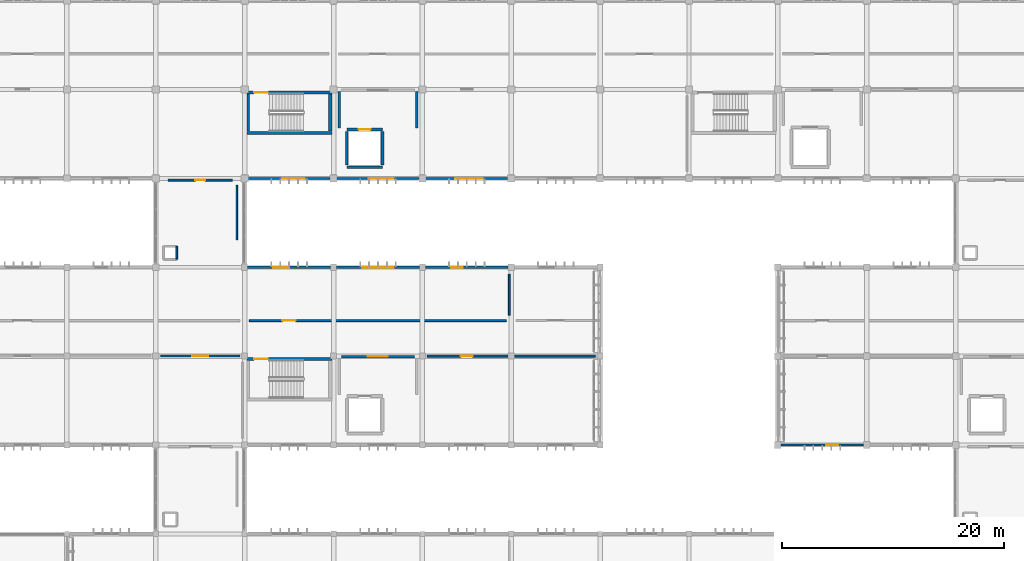
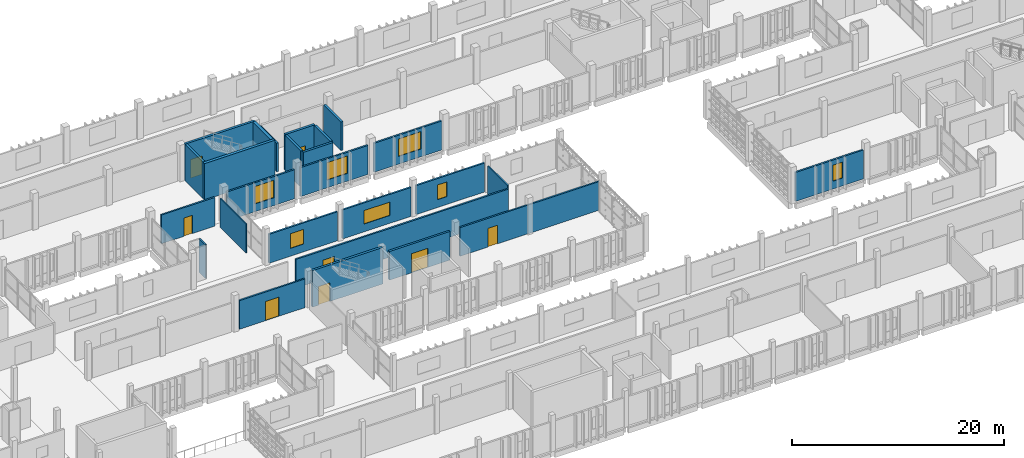
# One storey, part 48 of 63: 26 walls, 8 doors, 7 windows, 15 openings.
"""IFC4 building model written with IfcOpenShell, lengths in metres."""

from ifc_helpers import new_model, si_unit, direction, frame, frame_2d, origin, place, context, subcontext, project, spatial, rectangle, extrude, material, layer, layer_set, type_object, element, fill, save


model = new_model("IFC4")

# Units and contexts
model_context = context("Model", 3, precision=1e-05, world=origin(), true_north=direction((0.0, 1.0)))
body_context = subcontext(model_context, "Body", "Model", "MODEL_VIEW")
ifc_project = project(units=[si_unit("LENGTHUNIT", "METRE"), si_unit("AREAUNIT", "SQUARE_METRE"), si_unit("VOLUMEUNIT", "CUBIC_METRE"), si_unit("PLANEANGLEUNIT", "RADIAN"), si_unit("MASSUNIT", "GRAM", prefix="KILO")], contexts=[model_context])

# Site, building, storey
site_placement = place(None, origin())
site = spatial("IfcSite", under=ifc_project, at=site_placement, CompositionType="ELEMENT")
building_placement = place(site_placement, origin())
building = spatial("IfcBuilding", under=site, at=building_placement, Name="Jelvoka-Kovrelna Polytechnic", CompositionType="ELEMENT")
storey_placement = place(building_placement, frame((0.0, 0.0, 18.0)))
storey = spatial("IfcBuildingStorey", under=building, at=storey_placement, Name="L05", CompositionType="ELEMENT", Elevation=18.0)

# Walls
ifc_material_1 = material(Name="Concrete C35/45", Category="concrete")
ifc_layer_1 = layer(ifc_material_1, 0.219970703125)
ifc_layer_set_1 = layer_set([ifc_layer_1], Name="Concrete C35/45")
wall_type_1 = type_object("IfcWallType", Name="Wall_Compartment_220", PredefinedType="PARTITIONING", material=ifc_layer_set_1)
for number, where, z_axis, x_axis, name in (
    (1, (88.5, 60.550048828125, 0.0), (0.0, 0.0, 1.0), (0.0, 1.0, 0.0), "L05 interior wall 0297"),
    (2, (95.5, 60.550048828125, 0.0), (0.0, 0.0, 1.0), (0.0, 1.0, 0.0), "L05 interior wall 0298"),
):
    element("IfcWall", number, at=place(storey_placement, frame(where, z_axis=z_axis, x_axis=x_axis)), inside=storey, type_object=wall_type_1, Name=name, PredefinedType="PARTITIONING", context=body_context, shape_type="SweptSolid", body=[
        extrude(rectangle(XDim=3.25, YDim=0.219970703125, at=frame_2d((1.625, 0.0))), origin(), (0.0, 0.0, 1.0), 3.300048828125),
    ])

# Wall, opening, door
wall_1_placement = place(storey_placement, frame((88.699951171875, 39.949951171875, 0.0), z_axis=(0.0, 0.0, 1.0), x_axis=(1.0, 0.0, 0.0)))
wall_1 = element("IfcWall", 3, at=wall_1_placement, inside=storey, type_object=wall_type_1, Name="L05 interior wall 0438", PredefinedType="PARTITIONING", context=body_context, shape_type="SweptSolid", body=[
    extrude(rectangle(XDim=6.60009765625, YDim=0.219970703125, at=frame_2d((3.300048828125, 0.0))), origin(), (0.0, 0.0, 1.0), 3.300048828125),
])
opening_1_placement = place(wall_1_placement, frame((2.39990234375, 0.0, 0.0)))
opening_1 = element("IfcOpeningElement", 4, at=opening_1_placement, cuts=wall_1, Name="Opening FD-L05-087", PredefinedType="OPENING", context=body_context, shape_type="SweptSolid", body=[
    extrude(rectangle(XDim=1.800048828125, YDim=2.199951171875, at=frame_2d((0.89990234375, 1.10009765625))), frame((0.0, 0.119873046875, 0.0), z_axis=(0.0, -1.0, 0.0), x_axis=(1.0, 0.0, 0.0)), (0.0, 0.0, 1.0), 0.239990234375),
])
ifc_material_2 = material(Name="Paired steel corridor fire door", Category="steel")
door_type_1 = type_object("IfcDoorType", Name="Door_Fire_FD03", OperationType="NOTDEFINED", PredefinedType="DOOR", material=ifc_material_2)
door_1_placement = place(opening_1_placement, origin())
door_1 = element("IfcDoor", 5, at=door_1_placement, inside=storey, type_object=door_type_1, Name="L05 interior door FD-L05-087", OperationType="DOUBLE_DOOR_SINGLE_SWING", OverallHeight=2.199951171875, OverallWidth=1.800048828125, PredefinedType="DOOR", context=body_context, shape_type="SweptSolid", body=[
    extrude(rectangle(XDim=1.800048828125, YDim=2.199951171875, at=frame_2d((0.89990234375, 1.10009765625))), frame((0.0, 0.02490234375, 0.0), z_axis=(0.0, -1.0, 0.0), x_axis=(1.0, 0.0, 0.0)), (0.0, 0.0, 1.0), 0.050048828125),
])
fill(opening_1, door_1)

ifc_material_3 = material(Name="Concrete C40/50", Category="concrete")
ifc_layer_2 = layer(ifc_material_3, 0.25)
ifc_layer_set_2 = layer_set([ifc_layer_2], Name="Concrete C40/50")
wall_type_2 = type_object("IfcWallType", Name="Wall_Core_250", PredefinedType="SOLIDWALL", material=ifc_layer_set_2)
wall_2_placement = place(storey_placement, frame((80.199951171875, 39.739990234375, 0.0), z_axis=(0.0, 0.0, 1.0), x_axis=(1.0, 0.0, 0.0)))
wall_2 = element("IfcWall", 6, at=wall_2_placement, inside=storey, type_object=wall_type_2, Name="L05 interior wall 0107", PredefinedType="SOLIDWALL", context=body_context, shape_type="SweptSolid", body=[
    extrude(rectangle(XDim=7.650146484375, YDim=0.25, at=frame_2d((3.8251953125, 0.0))), origin(), (0.0, 0.0, 1.0), 4.199951171875),
])
opening_2_placement = place(wall_2_placement, frame((0.64990234375, 0.0, 0.0)))
opening_2 = element("IfcOpeningElement", 7, at=opening_2_placement, cuts=wall_2, Name="Opening SD-L05-027", PredefinedType="OPENING", context=body_context, shape_type="SweptSolid", body=[
    extrude(rectangle(XDim=1.25, YDim=2.14990234375, at=frame_2d((0.625, 1.074951171875))), frame((0.0, 0.135009765625, 0.0), z_axis=(0.0, -1.0, 0.0), x_axis=(1.0, 0.0, 0.0)), (0.0, 0.0, 1.0), 0.27001953125),
])
ifc_material_4 = material(Name="Powder-coated steel fire door", Category="steel")
door_type_2 = type_object("IfcDoorType", Name="Door_Fire_FD02", OperationType="NOTDEFINED", PredefinedType="DOOR", material=ifc_material_4)
door_2_placement = place(opening_2_placement, origin())
door_2 = element("IfcDoor", 8, at=door_2_placement, inside=storey, type_object=door_type_2, Name="L05 interior door SD-L05-027", OperationType="SINGLE_SWING_LEFT", OverallHeight=2.14990234375, OverallWidth=1.25, PredefinedType="DOOR", context=body_context, shape_type="SweptSolid", body=[
    extrude(rectangle(XDim=1.25, YDim=2.14990234375, at=frame_2d((0.625, 1.074951171875))), frame((0.0, 0.02490234375, 0.0), z_axis=(0.0, -1.0, 0.0), x_axis=(1.0, 0.0, 0.0)), (0.0, 0.0, 1.0), 0.050048828125),
])
fill(opening_2, door_2)

wall_3_placement = place(storey_placement, frame((80.199951171875, 63.739990234375, 0.0), z_axis=(0.0, 0.0, 1.0), x_axis=(1.0, 0.0, 0.0)))
wall_3 = element("IfcWall", 9, at=wall_3_placement, inside=storey, type_object=wall_type_2, Name="L05 interior wall 0167", PredefinedType="SOLIDWALL", context=body_context, shape_type="SweptSolid", body=[
    extrude(rectangle(XDim=7.650146484375, YDim=0.25, at=frame_2d((3.8251953125, 0.0))), origin(), (0.0, 0.0, 1.0), 4.199951171875),
])
opening_3_placement = place(wall_3_placement, frame((0.64990234375, 0.0, 0.0)))
opening_3 = element("IfcOpeningElement", 10, at=opening_3_placement, cuts=wall_3, Name="Opening SD-L05-042", PredefinedType="OPENING", context=body_context, shape_type="SweptSolid", body=[
    extrude(rectangle(XDim=1.25, YDim=2.14990234375, at=frame_2d((0.625, 1.074951171875))), frame((0.0, 0.135009765625, 0.0), z_axis=(0.0, -1.0, 0.0), x_axis=(1.0, 0.0, 0.0)), (0.0, 0.0, 1.0), 0.27001953125),
])
door_3_placement = place(opening_3_placement, origin())
door_3 = element("IfcDoor", 11, at=door_3_placement, inside=storey, type_object=door_type_2, Name="L05 interior door SD-L05-042", OperationType="SINGLE_SWING_LEFT", OverallHeight=2.14990234375, OverallWidth=1.25, PredefinedType="DOOR", context=body_context, shape_type="SweptSolid", body=[
    extrude(rectangle(XDim=1.25, YDim=2.14990234375, at=frame_2d((0.625, 1.074951171875))), frame((0.0, 0.02490234375, 0.0), z_axis=(0.0, -1.0, 0.0), x_axis=(1.0, 0.0, 0.0)), (0.0, 0.0, 1.0), 0.050048828125),
])
fill(opening_3, door_3)

# Walls
wall_4_placement = place(storey_placement, frame((80.324951171875, 60.25, 0.0), z_axis=(0.0, 0.0, 1.0), x_axis=(0.0, 1.0, 0.0)))
element("IfcWall", 12, at=wall_4_placement, inside=storey, type_object=wall_type_2, Name="L05 interior wall 0168", PredefinedType="SOLIDWALL", context=body_context, shape_type="SweptSolid", body=[
    extrude(rectangle(XDim=3.360107421875, YDim=0.25, at=frame_2d((1.68017578125, 0.0))), origin(), (0.0, 0.0, 1.0), 4.199951171875),
])
wall_5_placement = place(storey_placement, frame((89.199951171875, 57.0, 0.0), z_axis=(0.0, 0.0, 1.0), x_axis=(1.0, 0.0, 0.0)))
element("IfcWall", 13, at=wall_5_placement, inside=storey, type_object=wall_type_2, Name="L05 interior wall 0292", PredefinedType="SOLIDWALL", context=body_context, shape_type="SweptSolid", body=[
    extrude(rectangle(XDim=3.199951171875, YDim=0.25, at=frame_2d((1.60009765625, 0.0))), origin(), (0.0, 0.0, 1.0), 4.199951171875),
])

# Wall, opening, door
wall_6_placement = place(storey_placement, frame((89.199951171875, 60.39990234375, 0.0), z_axis=(0.0, 0.0, 1.0), x_axis=(1.0, 0.0, 0.0)))
wall_6 = element("IfcWall", 14, at=wall_6_placement, inside=storey, type_object=wall_type_2, Name="L05 interior wall 0293", PredefinedType="SOLIDWALL", context=body_context, shape_type="SweptSolid", body=[
    extrude(rectangle(XDim=3.199951171875, YDim=0.25, at=frame_2d((1.60009765625, 0.0))), origin(), (0.0, 0.0, 1.0), 4.199951171875),
])
opening_4_placement = place(wall_6_placement, frame((1.050048828125, 0.0, 0.0)))
opening_4 = element("IfcOpeningElement", 15, at=opening_4_placement, cuts=wall_6, Name="Opening LD-L05-06", PredefinedType="OPENING", context=body_context, shape_type="SweptSolid", body=[
    extrude(rectangle(XDim=1.10009765625, YDim=2.14990234375, at=frame_2d((0.550048828125, 1.074951171875))), frame((0.0, 0.135009765625, 0.0), z_axis=(0.0, -1.0, 0.0), x_axis=(1.0, 0.0, 0.0)), (0.0, 0.0, 1.0), 0.27001953125),
])
ifc_material_5 = material(Name="Brushed stainless steel sliding landing door", Category="steel")
door_type_3 = type_object("IfcDoorType", Name="Door_Lift_LD01", OperationType="NOTDEFINED", PredefinedType="DOOR", material=ifc_material_5)
door_4_placement = place(opening_4_placement, origin())
door_4 = element("IfcDoor", 16, at=door_4_placement, inside=storey, type_object=door_type_3, Name="L05 lift landing sliding door LD-L05-06", OperationType="DOUBLE_DOOR_SLIDING", OverallHeight=2.14990234375, OverallWidth=1.10009765625, PredefinedType="DOOR", context=body_context, shape_type="SweptSolid", body=[
    extrude(rectangle(XDim=1.10009765625, YDim=2.14990234375, at=frame_2d((0.550048828125, 1.074951171875))), frame((0.0, 0.02490234375, 0.0), z_axis=(0.0, -1.0, 0.0), x_axis=(1.0, 0.0, 0.0)), (0.0, 0.0, 1.0), 0.050048828125),
])
fill(opening_4, door_4)

# Walls
for number, where, z_axis, x_axis, name in (
    (17, (89.199951171875, 57.199951171875, 0.0), (0.0, 0.0, 1.0), (0.0, 1.0, 0.0), "L05 interior wall 0294"),
    (18, (92.39990234375, 57.199951171875, 0.0), (0.0, 0.0, 1.0), (0.0, 1.0, 0.0), "L05 interior wall 0295"),
):
    element("IfcWall", number, at=place(storey_placement, frame(where, z_axis=z_axis, x_axis=x_axis)), inside=storey, type_object=wall_type_2, Name=name, PredefinedType="SOLIDWALL", context=body_context, shape_type="SweptSolid", body=[
        extrude(rectangle(XDim=3.0, YDim=0.25, at=frame_2d((1.5, 0.0))), origin(), (0.0, 0.0, 1.0), 4.199951171875),
    ])

# Wall, opening, door
ifc_material_6 = material(Name="Autoclaved aerated concrete blockwork", Category="masonry")
ifc_layer_3 = layer(ifc_material_6, 0.179931640625)
ifc_layer_set_3 = layer_set([ifc_layer_3], Name="Autoclaved aerated concrete blockwork")
wall_type_3 = type_object("IfcWallType", Name="Wall_Corridor_180", PredefinedType="PARTITIONING", material=ifc_layer_set_3)
wall_7_placement = place(storey_placement, frame((72.429931640625, 40.0, 0.0), z_axis=(0.0, 0.0, 1.0), x_axis=(1.0, 0.0, 0.0)))
wall_7 = element("IfcWall", 19, at=wall_7_placement, inside=storey, type_object=wall_type_3, Name="L05 interior wall 1189", PredefinedType="PARTITIONING", context=body_context, shape_type="SweptSolid", body=[
    extrude(rectangle(XDim=7.14013671875, YDim=0.179931640625, at=frame_2d((3.570068359375, 0.0))), origin(), (0.0, 0.0, 1.0), 3.300048828125),
])
opening_5_placement = place(wall_7_placement, frame((2.830078125, 0.0, 0.0)))
opening_5 = element("IfcOpeningElement", 20, at=opening_5_placement, cuts=wall_7, Name="Opening D-L05-382", PredefinedType="OPENING", context=body_context, shape_type="SweptSolid", body=[
    extrude(rectangle(XDim=1.47998046875, YDim=2.199951171875, at=frame_2d((0.739990234375, 1.10009765625))), frame((0.0, 0.099853515625, 0.0), z_axis=(0.0, -1.0, 0.0), x_axis=(1.0, 0.0, 0.0)), (0.0, 0.0, 1.0), 0.199951171875),
])
ifc_material_7 = material(Name="Paired studio double door", Category="wood")
door_type_4 = type_object("IfcDoorType", Name="Door_Int_D17", OperationType="NOTDEFINED", PredefinedType="DOOR", material=ifc_material_7)
door_5_placement = place(opening_5_placement, origin())
door_5 = element("IfcDoor", 21, at=door_5_placement, inside=storey, type_object=door_type_4, Name="L05 interior door D-L05-382", OperationType="DOUBLE_DOOR_SINGLE_SWING", OverallHeight=2.199951171875, OverallWidth=1.47998046875, PredefinedType="DOOR", context=body_context, shape_type="SweptSolid", body=[
    extrude(rectangle(XDim=1.47998046875, YDim=2.199951171875, at=frame_2d((0.739990234375, 1.10009765625))), frame((0.0, 0.02490234375, 0.0), z_axis=(0.0, -1.0, 0.0), x_axis=(1.0, 0.0, 0.0)), (0.0, 0.0, 1.0), 0.050048828125),
])
fill(opening_5, door_5)

wall_8_placement = place(storey_placement, frame((96.429931640625, 40.0, 0.0), z_axis=(0.0, 0.0, 1.0), x_axis=(1.0, 0.0, 0.0)))
wall_8 = element("IfcWall", 22, at=wall_8_placement, inside=storey, type_object=wall_type_3, Name="L05 interior wall 1191", PredefinedType="PARTITIONING", context=body_context, shape_type="SweptSolid", body=[
    extrude(rectangle(XDim=15.14013671875, YDim=0.179931640625, at=frame_2d((7.570068359375, 0.0))), origin(), (0.0, 0.0, 1.0), 3.300048828125),
])
opening_6_placement = place(wall_8_placement, frame((3.044921875, 0.0, 0.0)))
opening_6 = element("IfcOpeningElement", 23, at=opening_6_placement, cuts=wall_8, Name="Opening D-L05-383", PredefinedType="OPENING", context=body_context, shape_type="SweptSolid", body=[
    extrude(rectangle(XDim=1.050048828125, YDim=2.14990234375, at=frame_2d((0.52490234375, 1.074951171875))), frame((0.0, 0.099853515625, 0.0), z_axis=(0.0, -1.0, 0.0), x_axis=(1.0, 0.0, 0.0)), (0.0, 0.0, 1.0), 0.199951171875),
])
ifc_material_8 = material(Name="Hardwood fire-resisting laboratory door", Category="wood")
door_type_5 = type_object("IfcDoorType", Name="Door_Fire_FD30_02", OperationType="NOTDEFINED", PredefinedType="DOOR", material=ifc_material_8)
door_6_placement = place(opening_6_placement, origin())
door_6 = element("IfcDoor", 24, at=door_6_placement, inside=storey, type_object=door_type_5, Name="L05 interior door D-L05-383", OperationType="SINGLE_SWING_LEFT", OverallHeight=2.14990234375, OverallWidth=1.050048828125, PredefinedType="DOOR", context=body_context, shape_type="SweptSolid", body=[
    extrude(rectangle(XDim=1.050048828125, YDim=2.14990234375, at=frame_2d((0.52490234375, 1.074951171875))), frame((0.0, 0.02490234375, 0.0), z_axis=(0.0, -1.0, 0.0), x_axis=(1.0, 0.0, 0.0)), (0.0, 0.0, 1.0), 0.050048828125),
])
fill(opening_6, door_6)

wall_9_placement = place(storey_placement, frame((80.429931640625, 43.199951171875, 0.0), z_axis=(0.0, 0.0, 1.0), x_axis=(1.0, 0.0, 0.0)))
wall_9 = element("IfcWall", 25, at=wall_9_placement, inside=storey, type_object=wall_type_3, Name="L05 interior wall 1193", PredefinedType="PARTITIONING", context=body_context, shape_type="SweptSolid", body=[
    extrude(rectangle(XDim=23.14013671875, YDim=0.179931640625, at=frame_2d((11.570068359375, 0.0))), origin(), (0.0, 0.0, 1.0), 3.300048828125),
])
opening_7_placement = place(wall_9_placement, frame((2.9599609375, 0.0, 0.0)))
opening_7 = element("IfcOpeningElement", 26, at=opening_7_placement, cuts=wall_9, Name="Opening D-L05-385", PredefinedType="OPENING", context=body_context, shape_type="SweptSolid", body=[
    extrude(rectangle(XDim=1.219970703125, YDim=2.179931640625, at=frame_2d((0.60986328125, 1.08984375))), frame((0.0, 0.099853515625, 0.0), z_axis=(0.0, -1.0, 0.0), x_axis=(1.0, 0.0, 0.0)), (0.0, 0.0, 1.0), 0.199951171875),
])
ifc_material_9 = material(Name="Hardwood fire-resisting laboratory door", Category="wood")
door_type_6 = type_object("IfcDoorType", Name="Door_Fire_FD30_04", OperationType="NOTDEFINED", PredefinedType="DOOR", material=ifc_material_9)
door_7_placement = place(opening_7_placement, origin())
door_7 = element("IfcDoor", 27, at=door_7_placement, inside=storey, type_object=door_type_6, Name="L05 interior door D-L05-385", OperationType="SINGLE_SWING_RIGHT", OverallHeight=2.179931640625, OverallWidth=1.219970703125, PredefinedType="DOOR", context=body_context, shape_type="SweptSolid", body=[
    extrude(rectangle(XDim=1.219970703125, YDim=2.179931640625, at=frame_2d((0.60986328125, 1.08984375))), frame((0.0, 0.02490234375, 0.0), z_axis=(0.0, -1.0, 0.0), x_axis=(1.0, 0.0, 0.0)), (0.0, 0.0, 1.0), 0.050048828125),
])
fill(opening_7, door_7)

wall_10_placement = place(storey_placement, frame((73.10009765625, 55.85009765625, 0.0), z_axis=(0.0, 0.0, 1.0), x_axis=(1.0, 0.0, 0.0)))
wall_10 = element("IfcWall", 28, at=wall_10_placement, inside=storey, type_object=wall_type_3, Name="L05 interior wall 1219", PredefinedType="PARTITIONING", context=body_context, shape_type="SweptSolid", body=[
    extrude(rectangle(XDim=5.7998046875, YDim=0.179931640625, at=frame_2d((2.89990234375, 0.0))), origin(), (0.0, 0.0, 1.0), 3.300048828125),
])
opening_8_placement = place(wall_10_placement, frame((2.449951171875, 0.0, 0.0)))
opening_8 = element("IfcOpeningElement", 29, at=opening_8_placement, cuts=wall_10, Name="Opening D-L05-406", PredefinedType="OPENING", context=body_context, shape_type="SweptSolid", body=[
    extrude(rectangle(XDim=0.89990234375, YDim=2.10009765625, at=frame_2d((0.449951171875, 1.050048828125))), frame((0.0, 0.099853515625, 0.0), z_axis=(0.0, -1.0, 0.0), x_axis=(1.0, 0.0, 0.0)), (0.0, 0.0, 1.0), 0.199951171875),
])
ifc_material_10 = material(Name="Hardwood solid-core door", Category="wood")
door_type_7 = type_object("IfcDoorType", Name="Door_Int_D01", OperationType="NOTDEFINED", PredefinedType="DOOR", material=ifc_material_10)
door_8_placement = place(opening_8_placement, origin())
door_8 = element("IfcDoor", 30, at=door_8_placement, inside=storey, type_object=door_type_7, Name="L05 interior door D-L05-406", OperationType="SINGLE_SWING_LEFT", OverallHeight=2.10009765625, OverallWidth=0.89990234375, PredefinedType="DOOR", context=body_context, shape_type="SweptSolid", body=[
    extrude(rectangle(XDim=0.89990234375, YDim=2.10009765625, at=frame_2d((0.449951171875, 1.050048828125))), frame((0.0, 0.02490234375, 0.0), z_axis=(0.0, -1.0, 0.0), x_axis=(1.0, 0.0, 0.0)), (0.0, 0.0, 1.0), 0.050048828125),
])
fill(opening_8, door_8)

# Wall, opening, window
ifc_material_11 = material(Name="Precast concrete C40/50", Category="concrete")
ifc_layer_4 = layer(ifc_material_11, 0.18505859375)
ifc_layer_set_4 = layer_set([ifc_layer_4], Name="Precast concrete C40/50")
wall_type_4 = type_object("IfcWallType", Name="Wall_Ext_White_260", PredefinedType="STANDARD", material=ifc_layer_set_4)
wall_11_placement = place(storey_placement, frame((80.27197265625, 48.0, 0.0), z_axis=(0.0, 0.0, 1.0), x_axis=(1.0, 0.0, 0.0)))
wall_11 = element("IfcWall", 31, at=wall_11_placement, inside=storey, type_object=wall_type_4, Name="L05 exterior wall 0417", PredefinedType="STANDARD", context=body_context, shape_type="SweptSolid", body=[
    extrude(rectangle(XDim=7.4560546875, YDim=0.18505859375, at=frame_2d((3.72802734375, 0.0))), origin(), (0.0, 0.0, 1.0), 3.3349609375),
])
opening_9_placement = place(wall_11_placement, frame((2.30810546875, 0.0, 0.89990234375)))
opening_9 = element("IfcOpeningElement", 32, at=opening_9_placement, cuts=wall_11, Name="Opening W-L05-150", PredefinedType="OPENING", context=body_context, shape_type="SweptSolid", body=[
    extrude(rectangle(XDim=1.449951171875, YDim=1.699951171875, at=frame_2d((0.72509765625, 0.85009765625))), frame((0.0, 0.1025390625, 0.0), z_axis=(0.0, -1.0, 0.0), x_axis=(1.0, 0.0, 0.0)), (0.0, 0.0, 1.0), 0.205078125),
])
ifc_material_12 = material(Name="Thermally broken anodised aluminium and low-e glazing", Category="aluminium")
window_type_1 = type_object("IfcWindowType", Name="Win_Casement_W33", PartitioningType="SINGLE_PANEL", PredefinedType="WINDOW", material=ifc_material_12)
window_1_placement = place(opening_9_placement, origin())
window_1 = element("IfcWindow", 33, at=window_1_placement, inside=storey, type_object=window_type_1, Name="L05 aluminium casement window W-L05-150", OverallHeight=1.699951171875, OverallWidth=1.449951171875, PartitioningType="SINGLE_PANEL", PredefinedType="WINDOW", context=body_context, shape_type="SweptSolid", body=[
    extrude(rectangle(XDim=1.449951171875, YDim=1.699951171875, at=frame_2d((0.72509765625, 0.85009765625))), frame((0.0, 0.030029296875, 0.0), z_axis=(0.0, -1.0, 0.0), x_axis=(1.0, 0.0, 0.0)), (0.0, 0.0, 1.0), 0.06005859375),
])
fill(opening_9, window_1)

wall_12_placement = place(storey_placement, frame((88.27197265625, 48.0, 0.0), z_axis=(0.0, 0.0, 1.0), x_axis=(1.0, 0.0, 0.0)))
wall_12 = element("IfcWall", 34, at=wall_12_placement, inside=storey, type_object=wall_type_4, Name="L05 exterior wall 0419", PredefinedType="STANDARD", context=body_context, shape_type="SweptSolid", body=[
    extrude(rectangle(XDim=7.4560546875, YDim=0.18505859375, at=frame_2d((3.72802734375, 0.0))), origin(), (0.0, 0.0, 1.0), 3.3349609375),
])
opening_10_placement = place(wall_12_placement, frame((2.30810546875, 0.0, 0.89990234375)))
opening_10 = element("IfcOpeningElement", 35, at=opening_10_placement, cuts=wall_12, Name="Opening W-L05-152", PredefinedType="OPENING", context=body_context, shape_type="SweptSolid", body=[
    extrude(rectangle(XDim=2.85009765625, YDim=1.550048828125, at=frame_2d((1.425048828125, 0.77490234375))), frame((0.0, 0.1025390625, 0.0), z_axis=(0.0, -1.0, 0.0), x_axis=(1.0, 0.0, 0.0)), (0.0, 0.0, 1.0), 0.205078125),
])
ifc_material_13 = material(Name="Thermally broken anodised aluminium and low-e glazing", Category="aluminium")
window_type_2 = type_object("IfcWindowType", Name="Win_Casement_W30", PartitioningType="DOUBLE_PANEL_VERTICAL", PredefinedType="WINDOW", material=ifc_material_13)
window_2_placement = place(opening_10_placement, origin())
window_2 = element("IfcWindow", 36, at=window_2_placement, inside=storey, type_object=window_type_2, Name="L05 aluminium casement window W-L05-152", OverallHeight=1.550048828125, OverallWidth=2.85009765625, PartitioningType="DOUBLE_PANEL_VERTICAL", PredefinedType="WINDOW", context=body_context, shape_type="SweptSolid", body=[
    extrude(rectangle(XDim=2.85009765625, YDim=1.550048828125, at=frame_2d((1.425048828125, 0.77490234375))), frame((0.0, 0.030029296875, 0.0), z_axis=(0.0, -1.0, 0.0), x_axis=(1.0, 0.0, 0.0)), (0.0, 0.0, 1.0), 0.06005859375),
])
fill(opening_10, window_2)

wall_13_placement = place(storey_placement, frame((96.27197265625, 48.0, 0.0), z_axis=(0.0, 0.0, 1.0), x_axis=(1.0, 0.0, 0.0)))
wall_13 = element("IfcWall", 37, at=wall_13_placement, inside=storey, type_object=wall_type_4, Name="L05 exterior wall 0421", PredefinedType="STANDARD", context=body_context, shape_type="SweptSolid", body=[
    extrude(rectangle(XDim=7.4560546875, YDim=0.18505859375, at=frame_2d((3.72802734375, 0.0))), origin(), (0.0, 0.0, 1.0), 3.3349609375),
])
opening_11_placement = place(wall_13_placement, frame((2.30810546875, 0.0, 0.89990234375)))
opening_11 = element("IfcOpeningElement", 38, at=opening_11_placement, cuts=wall_13, Name="Opening W-L05-154", PredefinedType="OPENING", context=body_context, shape_type="SweptSolid", body=[
    extrude(rectangle(XDim=1.050048828125, YDim=1.699951171875, at=frame_2d((0.52490234375, 0.85009765625))), frame((0.0, 0.1025390625, 0.0), z_axis=(0.0, -1.0, 0.0), x_axis=(1.0, 0.0, 0.0)), (0.0, 0.0, 1.0), 0.205078125),
])
ifc_material_14 = material(Name="Thermally broken anodised aluminium and low-e glazing", Category="aluminium")
window_type_3 = type_object("IfcWindowType", Name="Win_Casement_W31", PartitioningType="SINGLE_PANEL", PredefinedType="WINDOW", material=ifc_material_14)
window_3_placement = place(opening_11_placement, origin())
window_3 = element("IfcWindow", 39, at=window_3_placement, inside=storey, type_object=window_type_3, Name="L05 aluminium casement window W-L05-154", OverallHeight=1.699951171875, OverallWidth=1.050048828125, PartitioningType="SINGLE_PANEL", PredefinedType="WINDOW", context=body_context, shape_type="SweptSolid", body=[
    extrude(rectangle(XDim=1.050048828125, YDim=1.699951171875, at=frame_2d((0.52490234375, 0.85009765625))), frame((0.0, 0.030029296875, 0.0), z_axis=(0.0, -1.0, 0.0), x_axis=(1.0, 0.0, 0.0)), (0.0, 0.0, 1.0), 0.06005859375),
])
fill(opening_11, window_3)

wall_14_placement = place(storey_placement, frame((135.702880859375, 32.0, 0.0), z_axis=(0.0, 0.0, 1.0), x_axis=(-1.0, 0.0, 0.0)))
wall_14 = element("IfcWall", 40, at=wall_14_placement, inside=storey, type_object=wall_type_4, Name="L05 exterior wall 0506", PredefinedType="STANDARD", context=body_context, shape_type="SweptSolid", body=[
    extrude(rectangle(XDim=7.40576171875, YDim=0.18505859375, at=frame_2d((3.702880859375, 0.0))), origin(), (0.0, 0.0, 1.0), 3.3349609375),
])
opening_12_placement = place(wall_14_placement, frame((2.282958984375, 0.0, 0.89990234375)))
opening_12 = element("IfcOpeningElement", 41, at=opening_12_placement, cuts=wall_14, Name="Opening W-L05-205", PredefinedType="OPENING", context=body_context, shape_type="SweptSolid", body=[
    extrude(rectangle(XDim=1.050048828125, YDim=1.85009765625, at=frame_2d((0.52490234375, 0.925048828125))), frame((0.0, 0.1025390625, 0.0), z_axis=(0.0, -1.0, 0.0), x_axis=(1.0, 0.0, 0.0)), (0.0, 0.0, 1.0), 0.205078125),
])
ifc_material_15 = material(Name="Thermally broken anodised aluminium and low-e glazing", Category="aluminium")
window_type_4 = type_object("IfcWindowType", Name="Win_Casement_W41", PartitioningType="SINGLE_PANEL", PredefinedType="WINDOW", material=ifc_material_15)
window_4_placement = place(opening_12_placement, origin())
window_4 = element("IfcWindow", 42, at=window_4_placement, inside=storey, type_object=window_type_4, Name="L05 aluminium casement window W-L05-205", OverallHeight=1.85009765625, OverallWidth=1.050048828125, PartitioningType="SINGLE_PANEL", PredefinedType="WINDOW", context=body_context, shape_type="SweptSolid", body=[
    extrude(rectangle(XDim=1.050048828125, YDim=1.85009765625, at=frame_2d((0.52490234375, 0.925048828125))), frame((0.0, 0.030029296875, 0.0), z_axis=(0.0, -1.0, 0.0), x_axis=(1.0, 0.0, 0.0)), (0.0, 0.0, 1.0), 0.06005859375),
])
fill(opening_12, window_4)

wall_15_placement = place(storey_placement, frame((87.677978515625, 56.0, 0.0), z_axis=(0.0, 0.0, 1.0), x_axis=(-1.0, 0.0, 0.0)))
wall_15 = element("IfcWall", 43, at=wall_15_placement, inside=storey, type_object=wall_type_4, Name="L05 exterior wall 0716", PredefinedType="STANDARD", context=body_context, shape_type="SweptSolid", body=[
    extrude(rectangle(XDim=7.35595703125, YDim=0.18505859375, at=frame_2d((3.677978515625, 0.0))), origin(), (0.0, 0.0, 1.0), 3.3349609375),
])
opening_13_placement = place(wall_15_placement, frame((2.258056640625, 0.0, 0.89990234375)))
opening_13 = element("IfcOpeningElement", 44, at=opening_13_placement, cuts=wall_15, Name="Opening W-L05-378", PredefinedType="OPENING", context=body_context, shape_type="SweptSolid", body=[
    extrude(rectangle(XDim=2.050048828125, YDim=2.0, at=frame_2d((1.02490234375, 1.0))), frame((0.0, 0.1025390625, 0.0), z_axis=(0.0, -1.0, 0.0), x_axis=(1.0, 0.0, 0.0)), (0.0, 0.0, 1.0), 0.205078125),
])
ifc_material_16 = material(Name="Thermally broken anodised aluminium and low-e glazing", Category="aluminium")
window_type_5 = type_object("IfcWindowType", Name="Win_Casement_W56", PartitioningType="DOUBLE_PANEL_VERTICAL", PredefinedType="WINDOW", material=ifc_material_16)
window_5_placement = place(opening_13_placement, origin())
window_5 = element("IfcWindow", 45, at=window_5_placement, inside=storey, type_object=window_type_5, Name="L05 aluminium casement window W-L05-378", OverallHeight=2.0, OverallWidth=2.050048828125, PartitioningType="DOUBLE_PANEL_VERTICAL", PredefinedType="WINDOW", context=body_context, shape_type="SweptSolid", body=[
    extrude(rectangle(XDim=2.050048828125, YDim=2.0, at=frame_2d((1.02490234375, 1.0))), frame((0.0, 0.030029296875, 0.0), z_axis=(0.0, -1.0, 0.0), x_axis=(1.0, 0.0, 0.0)), (0.0, 0.0, 1.0), 0.06005859375),
])
fill(opening_13, window_5)

wall_16_placement = place(storey_placement, frame((95.677978515625, 56.0, 0.0), z_axis=(0.0, 0.0, 1.0), x_axis=(-1.0, 0.0, 0.0)))
wall_16 = element("IfcWall", 46, at=wall_16_placement, inside=storey, type_object=wall_type_4, Name="L05 exterior wall 0718", PredefinedType="STANDARD", context=body_context, shape_type="SweptSolid", body=[
    extrude(rectangle(XDim=7.35595703125, YDim=0.18505859375, at=frame_2d((3.677978515625, 0.0))), origin(), (0.0, 0.0, 1.0), 3.3349609375),
])
opening_14_placement = place(wall_16_placement, frame((2.258056640625, 0.0, 0.89990234375)))
opening_14 = element("IfcOpeningElement", 47, at=opening_14_placement, cuts=wall_16, Name="Opening W-L05-380", PredefinedType="OPENING", context=body_context, shape_type="SweptSolid", body=[
    extrude(rectangle(XDim=2.25, YDim=2.0, at=frame_2d((1.125, 1.0))), frame((0.0, 0.1025390625, 0.0), z_axis=(0.0, -1.0, 0.0), x_axis=(1.0, 0.0, 0.0)), (0.0, 0.0, 1.0), 0.205078125),
])
ifc_material_17 = material(Name="Thermally broken anodised aluminium and low-e glazing", Category="aluminium")
window_type_6 = type_object("IfcWindowType", Name="Win_Casement_W57", PartitioningType="DOUBLE_PANEL_VERTICAL", PredefinedType="WINDOW", material=ifc_material_17)
window_6_placement = place(opening_14_placement, origin())
window_6 = element("IfcWindow", 48, at=window_6_placement, inside=storey, type_object=window_type_6, Name="L05 aluminium casement window W-L05-380", OverallHeight=2.0, OverallWidth=2.25, PartitioningType="DOUBLE_PANEL_VERTICAL", PredefinedType="WINDOW", context=body_context, shape_type="SweptSolid", body=[
    extrude(rectangle(XDim=2.25, YDim=2.0, at=frame_2d((1.125, 1.0))), frame((0.0, 0.030029296875, 0.0), z_axis=(0.0, -1.0, 0.0), x_axis=(1.0, 0.0, 0.0)), (0.0, 0.0, 1.0), 0.06005859375),
])
fill(opening_14, window_6)

wall_17_placement = place(storey_placement, frame((103.677978515625, 56.0, 0.0), z_axis=(0.0, 0.0, 1.0), x_axis=(-1.0, 0.0, 0.0)))
wall_17 = element("IfcWall", 49, at=wall_17_placement, inside=storey, type_object=wall_type_4, Name="L05 exterior wall 0720", PredefinedType="STANDARD", context=body_context, shape_type="SweptSolid", body=[
    extrude(rectangle(XDim=7.35595703125, YDim=0.18505859375, at=frame_2d((3.677978515625, 0.0))), origin(), (0.0, 0.0, 1.0), 3.3349609375),
])
opening_15_placement = place(wall_17_placement, frame((2.258056640625, 0.0, 0.89990234375)))
opening_15 = element("IfcOpeningElement", 50, at=opening_15_placement, cuts=wall_17, Name="Opening W-L05-382", PredefinedType="OPENING", context=body_context, shape_type="SweptSolid", body=[
    extrude(rectangle(XDim=2.449951171875, YDim=2.0, at=frame_2d((1.22509765625, 1.0))), frame((0.0, 0.1025390625, 0.0), z_axis=(0.0, -1.0, 0.0), x_axis=(1.0, 0.0, 0.0)), (0.0, 0.0, 1.0), 0.205078125),
])
ifc_material_18 = material(Name="Thermally broken anodised aluminium and low-e glazing", Category="aluminium")
window_type_7 = type_object("IfcWindowType", Name="Win_Casement_W58", PartitioningType="DOUBLE_PANEL_VERTICAL", PredefinedType="WINDOW", material=ifc_material_18)
window_7_placement = place(opening_15_placement, origin())
window_7 = element("IfcWindow", 51, at=window_7_placement, inside=storey, type_object=window_type_7, Name="L05 aluminium casement window W-L05-382", OverallHeight=2.0, OverallWidth=2.449951171875, PartitioningType="DOUBLE_PANEL_VERTICAL", PredefinedType="WINDOW", context=body_context, shape_type="SweptSolid", body=[
    extrude(rectangle(XDim=2.449951171875, YDim=2.0, at=frame_2d((1.22509765625, 1.0))), frame((0.0, 0.030029296875, 0.0), z_axis=(0.0, -1.0, 0.0), x_axis=(1.0, 0.0, 0.0)), (0.0, 0.0, 1.0), 0.06005859375),
])
fill(opening_15, window_7)

# Walls
ifc_material_19 = material(Name="Acoustic gypsum stud partition")
ifc_layer_5 = layer(ifc_material_19, 0.125)
ifc_layer_set_5 = layer_set([ifc_layer_5], Name="Acoustic gypsum stud partition")
wall_type_5 = type_object("IfcWallType", Name="Wall_Partition_125", PredefinedType="PARTITIONING", material=ifc_layer_set_5)
wall_18_placement = place(storey_placement, frame((79.300048828125, 50.469970703125, 0.0), z_axis=(0.0, 0.0, 1.0), x_axis=(0.0, 1.0, 0.0)))
element("IfcWall", 52, at=wall_18_placement, inside=storey, type_object=wall_type_5, Name="L05 interior wall 1220", PredefinedType="PARTITIONING", context=body_context, shape_type="SweptSolid", body=[
    extrude(rectangle(XDim=4.909912109375, YDim=0.125, at=frame_2d((2.455078125, 0.0))), origin(), (0.0, 0.0, 1.0), 3.300048828125),
])
ifc_material_20 = material(Name="Autoclaved aerated concrete blockwork", Category="masonry")
ifc_layer_6 = layer(ifc_material_20, 0.14990234375)
ifc_layer_set_6 = layer_set([ifc_layer_6], Name="Autoclaved aerated concrete blockwork")
wall_type_6 = type_object("IfcWallType", Name="Wall_Partition_150", PredefinedType="PARTITIONING", material=ifc_layer_set_6)
wall_19_placement = place(storey_placement, frame((73.8798828125, 48.719970703125, 0.0), z_axis=(0.0, 0.0, 1.0), x_axis=(0.0, 1.0, 0.0)))
element("IfcWall", 53, at=wall_19_placement, inside=storey, type_object=wall_type_6, Name="L05 interior wall 0776", PredefinedType="PARTITIONING", context=body_context, shape_type="SweptSolid", body=[
    extrude(rectangle(XDim=1.159912109375, YDim=0.14990234375, at=frame_2d((0.580078125, 0.0))), origin(), (0.0, 0.0, 1.0), 3.89990234375),
])
wall_20_placement = place(storey_placement, frame((103.820068359375, 43.669921875, 0.0), z_axis=(0.0, 0.0, 1.0), x_axis=(0.0, 1.0, 0.0)))
element("IfcWall", 54, at=wall_20_placement, inside=storey, type_object=wall_type_6, Name="L05 interior wall 1194", PredefinedType="PARTITIONING", context=body_context, shape_type="SweptSolid", body=[
    extrude(rectangle(XDim=3.7099609375, YDim=0.14990234375, at=frame_2d((1.85498046875, 0.0))), origin(), (0.0, 0.0, 1.0), 3.300048828125),
])
ifc_material_21 = material(Name="Concrete C40/50", Category="concrete")
ifc_layer_7 = layer(ifc_material_21, 0.300048828125)
ifc_layer_set_7 = layer_set([ifc_layer_7], Name="Concrete C40/50")
wall_type_7 = type_object("IfcWallType", Name="Wall_Shear_300", PredefinedType="SHEAR", material=ifc_layer_set_7)
wall_21_placement = place(storey_placement, frame((80.199951171875, 60.090087890625, 0.0), z_axis=(0.0, 0.0, 1.0), x_axis=(1.0, 0.0, 0.0)))
element("IfcWall", 55, at=wall_21_placement, inside=storey, type_object=wall_type_7, Name="L05 interior wall 0165", PredefinedType="SHEAR", context=body_context, shape_type="SweptSolid", body=[
    extrude(rectangle(XDim=7.650146484375, YDim=0.300048828125, at=frame_2d((3.8251953125, 0.0))), origin(), (0.0, 0.0, 1.0), 4.199951171875),
])
wall_22_placement = place(storey_placement, frame((87.7099609375, 60.25, 0.0), z_axis=(0.0, 0.0, 1.0), x_axis=(0.0, 1.0, 0.0)))
element("IfcWall", 56, at=wall_22_placement, inside=storey, type_object=wall_type_7, Name="L05 interior wall 0166", PredefinedType="SHEAR", context=body_context, shape_type="SweptSolid", body=[
    extrude(rectangle(XDim=3.360107421875, YDim=0.300048828125, at=frame_2d((1.68017578125, 0.0))), origin(), (0.0, 0.0, 1.0), 4.199951171875),
])

save(model, "model.ifc")
